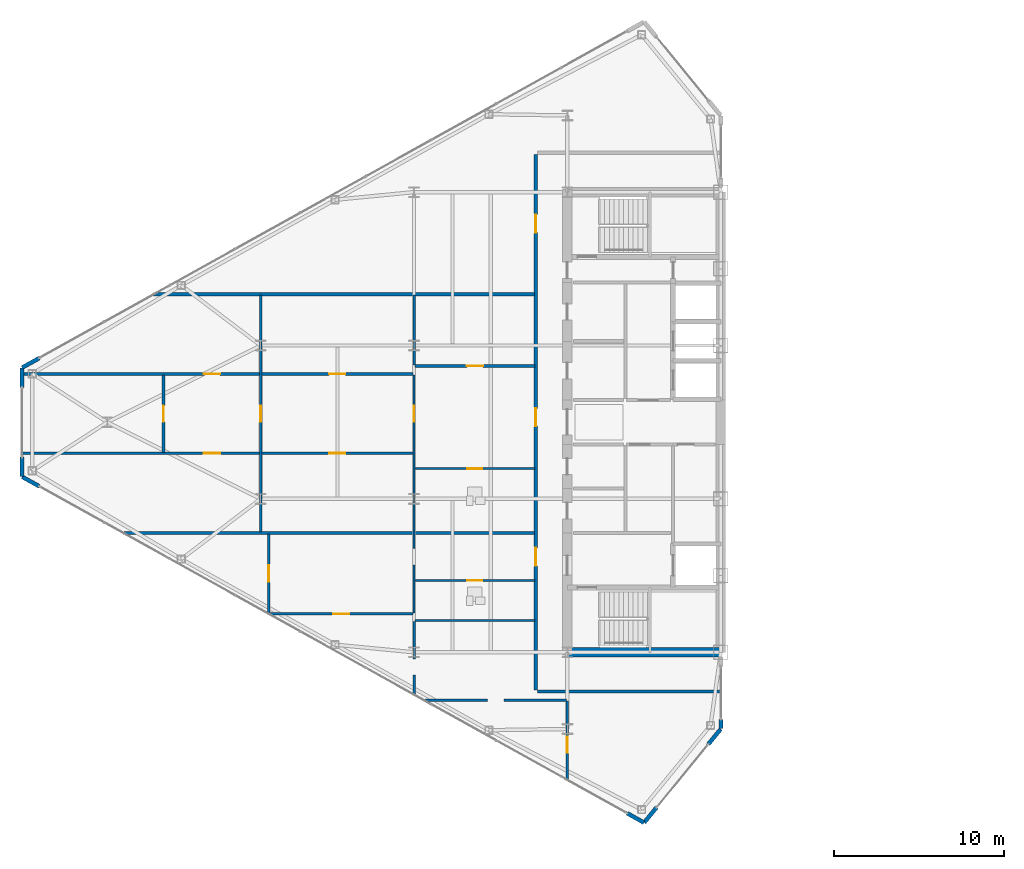
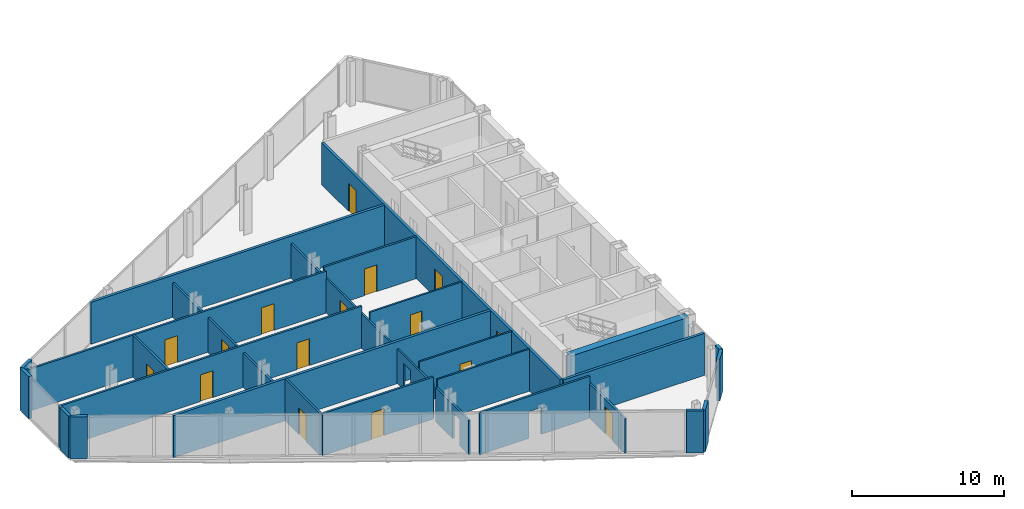
# One storey, part 19 of 26: 28 walls, 16 doors, 19 openings.
"""IFC4 building model written with IfcOpenShell, lengths in metres."""

import ifcopenshell
import ifcopenshell.guid

model = None  # the IFC model being written
_history = None  # IfcOwnerHistory: only IFC2X3 demands one
_inside = {}  # id of a spatial element -> (the spatial element, [elements in it])
_under = {}  # id of a project, library or spatial element -> (it, [spatial elements below it])
_declared = {}  # id of a project -> (the project, [libraries it declares])
_typed = {}  # id of a type object -> (the type object, [elements of that type])
_made_of = {}  # id of a material, layer set ... -> (it, [elements and type objects made of it])


def new_model(schema):
    """Start an empty IFC model of exactly this schema.

    Asked for "IFC4X3", IfcOpenShell would pick the latest addendum, in which some entities
    have other attributes; the version numbers below select the first issue.
    IFC2X3 requires an IfcOwnerHistory on every rooted entity: one is made here for all.
    """
    global model, _history
    if schema == "IFC4X3":
        model = ifcopenshell.file(schema_version=(4, 3, 0, 0))
    else:
        model = ifcopenshell.file(schema=schema)
    _inside.clear()
    _under.clear()
    _declared.clear()
    _typed.clear()
    _made_of.clear()
    _history = None
    if model.schema == "IFC2X3":
        org = make("IfcOrganization", Name="unknown")
        user = make(
            "IfcPersonAndOrganization",
            ThePerson=make("IfcPerson", FamilyName="unknown"),
            TheOrganization=org,
        )
        app = make(
            "IfcApplication",
            ApplicationDeveloper=org,
            Version="unknown",
            ApplicationFullName="unknown",
            ApplicationIdentifier="unknown",
        )
        _history = make(
            "IfcOwnerHistory",
            OwningUser=user,
            OwningApplication=app,
            ChangeAction="ADDED",
            CreationDate=0,
        )
    return model


def make(cls, **values):
    """One entity of the class cls with the attributes given. An attribute that is None is left unset."""
    return model.create_entity(
        cls, **{name: value for name, value in values.items() if value is not None}
    )


def rooted(cls, **values):
    """An entity with a GlobalId (a new one), such as an element, a storey or a relation."""
    return make(cls, GlobalId=ifcopenshell.guid.new(), OwnerHistory=_history, **values)


def si_unit(unit_type, name, prefix=None):
    """IfcSIUnit, for example si_unit("LENGTHUNIT", "METRE", prefix="MILLI")."""
    return make("IfcSIUnit", UnitType=unit_type, Prefix=prefix, Name=name)


def assignment(units):
    """IfcUnitAssignment: the units of a project."""
    return None if units is None else make("IfcUnitAssignment", Units=units)


def point(xyz):
    """IfcCartesianPoint."""
    return None if xyz is None else make("IfcCartesianPoint", Coordinates=xyz)


def direction(xyz):
    """IfcDirection."""
    return None if xyz is None else make("IfcDirection", DirectionRatios=xyz)


def frame(location, z_axis=None, x_axis=None):
    """IfcAxis2Placement3D, a coordinate frame: its origin and axes. An axis left out is left unset."""
    return make(
        "IfcAxis2Placement3D",
        Location=point(location),
        Axis=direction(z_axis),
        RefDirection=direction(x_axis),
    )


def frame_2d(location, x_axis=None):
    """IfcAxis2Placement2D, a coordinate frame in the plane: its origin and x axis."""
    return make(
        "IfcAxis2Placement2D", Location=point(location), RefDirection=direction(x_axis)
    )


def origin():
    """The frame at (0, 0, 0) with its axes left unset."""
    return frame((0.0, 0.0, 0.0))


def place(relative_to, where):
    """IfcLocalPlacement: puts the frame where relative to a parent placement (None: the world)."""
    return make(
        "IfcLocalPlacement", PlacementRelTo=relative_to, RelativePlacement=where
    )


def context(
    kind, dimensions, precision=None, world=None, true_north=None, identifier=None
):
    """IfcGeometricRepresentationContext, for example the 3D "Model" context."""
    return make(
        "IfcGeometricRepresentationContext",
        ContextIdentifier=identifier,
        ContextType=kind,
        CoordinateSpaceDimension=dimensions,
        Precision=precision,
        WorldCoordinateSystem=world,
        TrueNorth=true_north,
    )


def subcontext(parent, identifier, kind, view, scale=None):
    """IfcGeometricRepresentationSubContext, for example "Body" below "Model"."""
    return make(
        "IfcGeometricRepresentationSubContext",
        ContextIdentifier=identifier,
        ContextType=kind,
        ParentContext=parent,
        TargetScale=scale,
        TargetView=view,
    )


def project(units=None, contexts=None):
    """IfcProject with its units and contexts."""
    return rooted(
        "IfcProject",
        Name="project",
        RepresentationContexts=contexts,
        UnitsInContext=assignment(units),
    )


def spatial(cls, under=None, at=None, **own):
    """A site, building, storey or space (cls), placed at a placement, below another one or the project."""
    s = rooted(cls, ObjectPlacement=at, **own)
    if under is not None:
        _under.setdefault(under.id(), (under, []))[1].append(s)
    return s


def profile(cls, at=None, kind="AREA", **sizes):
    """A parametric profile (cls). Its sizes go by their IFC names, for example OverallWidth=200.0."""
    return make(cls, ProfileType=kind, Position=at, **sizes)


def rectangle(**sizes):
    """IfcRectangleProfileDef."""
    return profile("IfcRectangleProfileDef", **sizes)


def extrude(swept, where, along, depth):
    """IfcExtrudedAreaSolid: the profile swept, set in the frame where, extruded along a direction by depth."""
    return make(
        "IfcExtrudedAreaSolid",
        SweptArea=swept,
        Position=where,
        ExtrudedDirection=direction(along),
        Depth=depth,
    )


def shape(context_of_items, identifier, shape_type, items):
    """IfcShapeRepresentation: the items that make up one representation, for example the "Body"."""
    return make(
        "IfcShapeRepresentation",
        ContextOfItems=context_of_items,
        RepresentationIdentifier=identifier,
        RepresentationType=shape_type,
        Items=items,
    )


def source(mapping_origin, context_of_items, identifier, shape_type, items):
    """IfcRepresentationMap: a shape defined once, which mapped items show again and again."""
    return make(
        "IfcRepresentationMap",
        MappingOrigin=mapping_origin,
        MappedRepresentation=shape(context_of_items, identifier, shape_type, items),
    )


def transform(
    local_origin,
    x_axis=None,
    y_axis=None,
    z_axis=None,
    scale=None,
    scale2=None,
    scale3=None,
    uniform=True,
):
    """IfcCartesianTransformationOperator3D, or its non-uniform kind. x_axis, y_axis, z_axis: its Axis1, 2, 3."""
    if uniform:
        return make(
            "IfcCartesianTransformationOperator3D",
            Axis1=direction(x_axis),
            Axis2=direction(y_axis),
            LocalOrigin=point(local_origin),
            Scale=scale,
            Axis3=direction(z_axis),
        )
    return make(
        "IfcCartesianTransformationOperator3DnonUniform",
        Axis1=direction(x_axis),
        Axis2=direction(y_axis),
        LocalOrigin=point(local_origin),
        Scale=scale,
        Axis3=direction(z_axis),
        Scale2=scale2,
        Scale3=scale3,
    )


def mapped(mapping_source, mapping_target):
    """IfcMappedItem: shows the shape of a source again, moved by a transform."""
    return make(
        "IfcMappedItem", MappingSource=mapping_source, MappingTarget=mapping_target
    )


def material(Name=None, Category=None):
    """IfcMaterial."""
    return make("IfcMaterial", Name=Name, Category=Category)


def layer(
    of_material, thickness, ventilated=None, Name=None, Category=None, Priority=None
):
    """IfcMaterialLayer: one layer of a wall or slab, of a material (None: an air gap)."""
    return make(
        "IfcMaterialLayer",
        Material=of_material,
        LayerThickness=thickness,
        IsVentilated=ventilated,
        Name=Name,
        Category=Category,
        Priority=Priority,
    )


def layer_set(layers, Name=None):
    """IfcMaterialLayerSet."""
    return make("IfcMaterialLayerSet", MaterialLayers=layers, LayerSetName=Name)


def made_of(thing, what):
    """Note that an element or type object is made of a material, layer set ...; save() writes the relation."""
    if what is not None:
        _made_of.setdefault(what.id(), (what, []))[1].append(thing)
    return thing


def type_object(cls, material=None, **own):
    """A type object (cls), such as IfcWallType, which elements share."""
    return made_of(rooted(cls, **own), material)


def type_shapes(of_type, sources):
    """Give a type object the sources (RepresentationMaps) that its elements show as mapped items."""
    of_type.RepresentationMaps = sources


def element(
    cls,
    number,
    at=None,
    inside=None,
    cuts=None,
    type_object=None,
    material=None,
    context=None,
    identifier="Body",
    shape_type=None,
    held_by="IfcProductDefinitionShape",
    body=None,
    shapes=None,
    **own,
):
    """One element of the class cls, such as IfcWall. Its Tag is "e" and its number.

    at: its placement. inside: the storey or other place that contains it. cuts: it is an
    opening in that element (IfcRelVoidsElement). A single representation is given by context,
    identifier, shape_type and body (its items); several are given by shapes. held_by: the class
    of the entity that holds the representations. save() writes the other relations.
    """
    e = rooted(cls, Tag="e%d" % number, ObjectPlacement=at, **own)
    if body is not None:
        shapes = [shape(context, identifier, shape_type, body)]
    if shapes is not None:
        e.Representation = make(held_by, Representations=shapes)
    if inside is not None:
        _inside.setdefault(inside.id(), (inside, []))[1].append(e)
    if cuts is not None:
        rooted(
            "IfcRelVoidsElement", RelatingBuildingElement=cuts, RelatedOpeningElement=e
        )
    if type_object is not None:
        _typed.setdefault(type_object.id(), (type_object, []))[1].append(e)
    return made_of(e, material)


def fill(opening, filler):
    """IfcRelFillsElement: the door or window that sits in an opening."""
    return rooted(
        "IfcRelFillsElement",
        RelatingOpeningElement=opening,
        RelatedBuildingElement=filler,
    )


def aggregate(whole, parts):
    """IfcRelAggregates: a whole, such as a stair, and the parts it consists of."""
    return rooted("IfcRelAggregates", RelatingObject=whole, RelatedObjects=parts)


def save(model, path):
    """Write the relations noted so far, then the file.

    IfcRelAggregates (storeys below a building ...), IfcRelContainedInSpatialStructure (elements
    in a storey), IfcRelDefinesByType, IfcRelAssociatesMaterial and IfcRelDeclares: one each for
    every whole, place, type object, material and project.
    """
    for whole, parts in _under.values():
        aggregate(whole, parts)
    for where, things in _inside.values():
        rooted(
            "IfcRelContainedInSpatialStructure",
            RelatedElements=things,
            RelatingStructure=where,
        )
    for kind, things in _typed.values():
        rooted("IfcRelDefinesByType", RelatedObjects=things, RelatingType=kind)
    for what, things in _made_of.values():
        rooted("IfcRelAssociatesMaterial", RelatedObjects=things, RelatingMaterial=what)
    for by, libraries in _declared.values():
        rooted("IfcRelDeclares", RelatingContext=by, RelatedDefinitions=libraries)
    model.write(path)


model = new_model("IFC4")

# Units and contexts
model_context = context("Model", 3, precision=1e-05, world=origin(), true_north=direction((0.0, 1.0)))
body_context = subcontext(model_context, "Body", "Model", "MODEL_VIEW")
ifc_project = project(units=[si_unit("LENGTHUNIT", "METRE"), si_unit("AREAUNIT", "SQUARE_METRE"), si_unit("VOLUMEUNIT", "CUBIC_METRE"), si_unit("PLANEANGLEUNIT", "RADIAN"), si_unit("MASSUNIT", "GRAM", prefix="KILO")], contexts=[model_context])

# Site, building, storey
site_placement = place(None, origin())
site = spatial("IfcSite", under=ifc_project, at=site_placement, CompositionType="ELEMENT")
building_placement = place(site_placement, origin())
building = spatial("IfcBuilding", under=site, at=building_placement, Name="Seokmaru Belvedere", CompositionType="ELEMENT")
storey_placement = place(building_placement, frame((0.0, 0.0, 181.5)))
storey = spatial("IfcBuildingStorey", under=building, at=storey_placement, Name="L48", CompositionType="ELEMENT", Elevation=181.5)

# Wall, opening
ifc_material_1 = material(Name="Fire-Rated Gypsum Shaftwall")
ifc_layer_1 = layer(ifc_material_1, 0.14990234375)
ifc_layer_set_1 = layer_set([ifc_layer_1], Name="Fire-Rated Gypsum Shaftwall")
wall_type_1 = type_object("IfcWallType", Name="Apartment Fire-Acoustic Room Partition 150", PredefinedType="PARTITIONING", material=ifc_layer_set_1)
wall_1_placement = place(storey_placement, frame((-44.943115234375, -16.320068359375, 0.0), z_axis=(0.0, 0.0, 1.0), x_axis=(1.0, 0.0, 0.0)))
wall_1 = element("IfcWall", 1, at=wall_1_placement, inside=storey, type_object=wall_type_1, Name="L48 Interior Partition 001", PredefinedType="PARTITIONING", context=body_context, shape_type="SweptSolid", body=[
    extrude(rectangle(XDim=8.39306640625, YDim=0.14990234375, at=frame_2d((4.196533203125, 0.0))), origin(), (0.0, 0.0, 1.0), 3.3798828125),
])
opening_1_placement = place(wall_1_placement, frame((3.763916015625, 0.0, 0.0)))
element("IfcOpeningElement", 2, at=opening_1_placement, cuts=wall_1, Name="L48 Cased Opening 007", PredefinedType="OPENING", context=body_context, shape_type="SweptSolid", body=[
    extrude(rectangle(XDim=0.949951171875, YDim=2.14990234375, at=frame_2d((0.47509765625, 1.074951171875))), frame((0.0, 0.0849609375, 0.0), z_axis=(0.0, -1.0, 0.0), x_axis=(1.0, 0.0, 0.0)), (0.0, 0.0, 1.0), 0.169921875),
])

# Wall, opening, door
wall_2_placement = place(storey_placement, frame((-53.98291015625, -11.25, 0.0), z_axis=(0.0, 0.0, 1.0), x_axis=(1.0, 0.0, 0.0)))
wall_2 = element("IfcWall", 3, at=wall_2_placement, inside=storey, type_object=wall_type_1, Name="L48 Interior Partition 005", PredefinedType="PARTITIONING", context=body_context, shape_type="SweptSolid", body=[
    extrude(rectangle(XDim=8.432861328125, YDim=0.14990234375, at=frame_2d((4.21630859375, 0.0))), origin(), (0.0, 0.0, 1.0), 3.3798828125),
])
opening_2_placement = place(wall_2_placement, frame((3.741455078125, 0.0, 0.0)))
opening_2 = element("IfcOpeningElement", 4, at=opening_2_placement, cuts=wall_2, Name="Opening D05", PredefinedType="OPENING", context=body_context, shape_type="SweptSolid", body=[
    extrude(rectangle(XDim=0.949951171875, YDim=2.14990234375, at=frame_2d((0.47509765625, 1.074951171875))), frame((0.0, 0.0849609375, 0.0), z_axis=(0.0, -1.0, 0.0), x_axis=(1.0, 0.0, 0.0)), (0.0, 0.0, 1.0), 0.169921875),
])
ifc_material_2 = material(Name="Engineered White Oak Timber", Category="wood")
door_type_1 = type_object("IfcDoorType", Name="Apartment Interior Fire-Rated Oak Door 950x2150", OperationType="NOTDEFINED", PredefinedType="DOOR", material=ifc_material_2)
shared_shape_1 = source(origin(), body_context, "Body", "SweptSolid", [
    extrude(rectangle(XDim=0.949951171875, YDim=2.14990234375, at=frame_2d((0.47509765625, 1.074951171875))), frame((0.0, 0.02490234375, 0.0), z_axis=(0.0, -1.0, 0.0), x_axis=(1.0, 0.0, 0.0)), (0.0, 0.0, 1.0), 0.050048828125),
])
type_shapes(door_type_1, [shared_shape_1])
door_1_placement = place(opening_2_placement, origin())
door_1 = element("IfcDoor", 5, at=door_1_placement, inside=storey, type_object=door_type_1, Name="L48 Interior Door 004", OperationType="SINGLE_SWING_RIGHT", OverallHeight=2.14990234375, OverallWidth=0.949951171875, PredefinedType="DOOR", context=body_context, shape_type="MappedRepresentation", body=[
    mapped(shared_shape_1, transform((0.0, 0.0, 0.0), scale=1.0)),
])
fill(opening_2, door_1)

# Wall, openings, doors
wall_3_placement = place(storey_placement, frame((-68.534912109375, -1.830078125, 0.0), z_axis=(0.0, 0.0, 1.0), x_axis=(1.0, 0.0, 0.0)))
wall_3 = element("IfcWall", 6, at=wall_3_placement, inside=storey, type_object=wall_type_1, Name="L48 Interior Partition 009", PredefinedType="PARTITIONING", context=body_context, shape_type="SweptSolid", body=[
    extrude(rectangle(XDim=22.98486328125, YDim=0.14990234375, at=frame_2d((11.492431640625, 0.0))), origin(), (0.0, 0.0, 1.0), 3.3798828125),
])
opening_3_placement = place(wall_3_placement, frame((18.06005859375, 0.0, 0.0)))
opening_3 = element("IfcOpeningElement", 7, at=opening_3_placement, cuts=wall_3, Name="Opening D05", PredefinedType="OPENING", context=body_context, shape_type="SweptSolid", body=[
    extrude(rectangle(XDim=0.949951171875, YDim=2.14990234375, at=frame_2d((0.47509765625, 1.074951171875))), frame((0.0, 0.0849609375, 0.0), z_axis=(0.0, -1.0, 0.0), x_axis=(1.0, 0.0, 0.0)), (0.0, 0.0, 1.0), 0.169921875),
])
opening_4_placement = place(wall_3_placement, frame((10.7099609375, 0.0, 0.0)))
opening_4 = element("IfcOpeningElement", 8, at=opening_4_placement, cuts=wall_3, Name="Opening D05", PredefinedType="OPENING", context=body_context, shape_type="SweptSolid", body=[
    extrude(rectangle(XDim=0.949951171875, YDim=2.14990234375, at=frame_2d((0.47509765625, 1.074951171875))), frame((0.0, 0.0849609375, 0.0), z_axis=(0.0, -1.0, 0.0), x_axis=(1.0, 0.0, 0.0)), (0.0, 0.0, 1.0), 0.169921875),
])
door_2_placement = place(opening_3_placement, origin())
door_2 = element("IfcDoor", 9, at=door_2_placement, inside=storey, type_object=door_type_1, Name="L48 Interior Door 014", OperationType="SINGLE_SWING_RIGHT", OverallHeight=2.14990234375, OverallWidth=0.949951171875, PredefinedType="DOOR", context=body_context, shape_type="MappedRepresentation", body=[
    mapped(shared_shape_1, transform((0.0, 0.0, 0.0), scale=1.0)),
])
fill(opening_3, door_2)
door_3_placement = place(opening_4_placement, origin())
door_3 = element("IfcDoor", 10, at=door_3_placement, inside=storey, type_object=door_type_1, Name="L48 Interior Door 016", OperationType="SINGLE_SWING_LEFT", OverallHeight=2.14990234375, OverallWidth=0.949951171875, PredefinedType="DOOR", context=body_context, shape_type="MappedRepresentation", body=[
    mapped(shared_shape_1, transform((0.0, 0.0, 0.0), scale=1.0)),
])
fill(opening_4, door_3)

wall_4_placement = place(storey_placement, frame((-68.375, 2.830078125, 0.0), z_axis=(0.0, 0.0, 1.0), x_axis=(1.0, 0.0, 0.0)))
wall_4 = element("IfcWall", 11, at=wall_4_placement, inside=storey, type_object=wall_type_1, Name="L48 Interior Partition 011", PredefinedType="PARTITIONING", context=body_context, shape_type="SweptSolid", body=[
    extrude(rectangle(XDim=22.824951171875, YDim=0.14990234375, at=frame_2d((11.41259765625, 0.0))), origin(), (0.0, 0.0, 1.0), 3.3798828125),
])
opening_5_placement = place(wall_4_placement, frame((17.89990234375, 0.0, 0.0)))
opening_5 = element("IfcOpeningElement", 12, at=opening_5_placement, cuts=wall_4, Name="Opening D05", PredefinedType="OPENING", context=body_context, shape_type="SweptSolid", body=[
    extrude(rectangle(XDim=0.949951171875, YDim=2.14990234375, at=frame_2d((0.47509765625, 1.074951171875))), frame((0.0, 0.0849609375, 0.0), z_axis=(0.0, -1.0, 0.0), x_axis=(1.0, 0.0, 0.0)), (0.0, 0.0, 1.0), 0.169921875),
])
opening_6_placement = place(wall_4_placement, frame((10.550048828125, 0.0, 0.0)))
opening_6 = element("IfcOpeningElement", 13, at=opening_6_placement, cuts=wall_4, Name="Opening D05", PredefinedType="OPENING", context=body_context, shape_type="SweptSolid", body=[
    extrude(rectangle(XDim=0.949951171875, YDim=2.14990234375, at=frame_2d((0.47509765625, 1.074951171875))), frame((0.0, 0.0849609375, 0.0), z_axis=(0.0, -1.0, 0.0), x_axis=(1.0, 0.0, 0.0)), (0.0, 0.0, 1.0), 0.169921875),
])
door_4_placement = place(opening_5_placement, origin())
door_4 = element("IfcDoor", 14, at=door_4_placement, inside=storey, type_object=door_type_1, Name="L48 Interior Door 015", OperationType="SINGLE_SWING_LEFT", OverallHeight=2.14990234375, OverallWidth=0.949951171875, PredefinedType="DOOR", context=body_context, shape_type="MappedRepresentation", body=[
    mapped(shared_shape_1, transform((0.0, 0.0, 0.0), scale=1.0)),
])
fill(opening_5, door_4)
door_5_placement = place(opening_6_placement, origin())
door_5 = element("IfcDoor", 15, at=door_5_placement, inside=storey, type_object=door_type_1, Name="L48 Interior Door 018", OperationType="SINGLE_SWING_RIGHT", OverallHeight=2.14990234375, OverallWidth=0.949951171875, PredefinedType="DOOR", context=body_context, shape_type="MappedRepresentation", body=[
    mapped(shared_shape_1, transform((0.0, 0.0, 0.0), scale=1.0)),
])
fill(opening_6, door_5)

# Wall, opening, door
wall_5_placement = place(storey_placement, frame((-45.449951171875, 3.300048828125, 0.0), z_axis=(0.0, 0.0, 1.0), x_axis=(1.0, 0.0, 0.0)))
wall_5 = element("IfcWall", 16, at=wall_5_placement, inside=storey, type_object=wall_type_1, Name="L48 Interior Partition 012", PredefinedType="PARTITIONING", context=body_context, shape_type="SweptSolid", body=[
    extrude(rectangle(XDim=7.050048828125, YDim=0.14990234375, at=frame_2d((3.52490234375, 0.0))), origin(), (0.0, 0.0, 1.0), 3.3798828125),
])
opening_7_placement = place(wall_5_placement, frame((3.050048828125, 0.0, 0.0)))
opening_7 = element("IfcOpeningElement", 17, at=opening_7_placement, cuts=wall_5, Name="Opening D05", PredefinedType="OPENING", context=body_context, shape_type="SweptSolid", body=[
    extrude(rectangle(XDim=0.949951171875, YDim=2.14990234375, at=frame_2d((0.47509765625, 1.074951171875))), frame((0.0, 0.0849609375, 0.0), z_axis=(0.0, -1.0, 0.0), x_axis=(1.0, 0.0, 0.0)), (0.0, 0.0, 1.0), 0.169921875),
])
door_6_placement = place(opening_7_placement, origin())
door_6 = element("IfcDoor", 18, at=door_6_placement, inside=storey, type_object=door_type_1, Name="L48 Interior Door 011", OperationType="SINGLE_SWING_LEFT", OverallHeight=2.14990234375, OverallWidth=0.949951171875, PredefinedType="DOOR", context=body_context, shape_type="MappedRepresentation", body=[
    mapped(shared_shape_1, transform((0.0, 0.0, 0.0), scale=1.0)),
])
fill(opening_7, door_6)

wall_6_placement = place(storey_placement, frame((-60.199951171875, -1.782958984375, 0.0), z_axis=(0.0, 0.0, 1.0), x_axis=(0.0, 1.0, 0.0)))
wall_6 = element("IfcWall", 19, at=wall_6_placement, inside=storey, type_object=wall_type_1, Name="L48 Interior Partition 016", PredefinedType="PARTITIONING", context=body_context, shape_type="SweptSolid", body=[
    extrude(rectangle(XDim=4.56591796875, YDim=0.14990234375, at=frame_2d((2.282958984375, 0.0))), origin(), (0.0, 0.0, 1.0), 3.3798828125),
])
opening_8_placement = place(wall_6_placement, frame((1.80810546875, 0.0, 0.0)))
opening_8 = element("IfcOpeningElement", 20, at=opening_8_placement, cuts=wall_6, Name="Opening D05", PredefinedType="OPENING", context=body_context, shape_type="SweptSolid", body=[
    extrude(rectangle(XDim=0.949951171875, YDim=2.14990234375, at=frame_2d((0.47509765625, 1.074951171875))), frame((0.0, 0.0849609375, 0.0), z_axis=(0.0, -1.0, 0.0), x_axis=(1.0, 0.0, 0.0)), (0.0, 0.0, 1.0), 0.169921875),
])
door_7_placement = place(opening_8_placement, origin())
door_7 = element("IfcDoor", 21, at=door_7_placement, inside=storey, type_object=door_type_1, Name="L48 Interior Door 017", OperationType="SINGLE_SWING_RIGHT", OverallHeight=2.14990234375, OverallWidth=0.949951171875, PredefinedType="DOOR", context=body_context, shape_type="MappedRepresentation", body=[
    mapped(shared_shape_1, transform((0.0, 0.0, 0.0), scale=1.0)),
])
fill(opening_8, door_7)

wall_7_placement = place(storey_placement, frame((-54.5, -6.449951171875, 0.0), z_axis=(0.0, 0.0, 1.0), x_axis=(0.0, 1.0, 0.0)))
wall_7 = element("IfcWall", 22, at=wall_7_placement, inside=storey, type_object=wall_type_1, Name="L48 Interior Partition 017", PredefinedType="PARTITIONING", context=body_context, shape_type="SweptSolid", body=[
    extrude(rectangle(XDim=13.89990234375, YDim=0.14990234375, at=frame_2d((6.949951171875, 0.0))), origin(), (0.0, 0.0, 1.0), 2.780029296875),
])
opening_9_placement = place(wall_7_placement, frame((6.47509765625, 0.0, 0.0)))
opening_9 = element("IfcOpeningElement", 23, at=opening_9_placement, cuts=wall_7, Name="Opening D05", PredefinedType="OPENING", context=body_context, shape_type="SweptSolid", body=[
    extrude(rectangle(XDim=0.949951171875, YDim=2.14990234375, at=frame_2d((0.47509765625, 1.074951171875))), frame((0.0, 0.0849609375, 0.0), z_axis=(0.0, -1.0, 0.0), x_axis=(1.0, 0.0, 0.0)), (0.0, 0.0, 1.0), 0.169921875),
])
door_8_placement = place(opening_9_placement, origin())
door_8 = element("IfcDoor", 24, at=door_8_placement, inside=storey, type_object=door_type_1, Name="L48 Interior Door 013", OperationType="SINGLE_SWING_RIGHT", OverallHeight=2.14990234375, OverallWidth=0.949951171875, PredefinedType="DOOR", context=body_context, shape_type="MappedRepresentation", body=[
    mapped(shared_shape_1, transform((0.0, 0.0, 0.0), scale=1.0)),
])
fill(opening_9, door_8)

wall_8_placement = place(storey_placement, frame((-54.030029296875, -11.196044921875, 0.0), z_axis=(0.0, 0.0, 1.0), x_axis=(0.0, 1.0, 0.0)))
wall_8 = element("IfcWall", 25, at=wall_8_placement, inside=storey, type_object=wall_type_1, Name="L48 Interior Partition 018", PredefinedType="PARTITIONING", context=body_context, shape_type="SweptSolid", body=[
    extrude(rectangle(XDim=4.64599609375, YDim=0.14990234375, at=frame_2d((2.322998046875, 0.0))), origin(), (0.0, 0.0, 1.0), 3.3798828125),
])
opening_10_placement = place(wall_8_placement, frame((1.84814453125, 0.0, 0.0)))
opening_10 = element("IfcOpeningElement", 26, at=opening_10_placement, cuts=wall_8, Name="Opening D05", PredefinedType="OPENING", context=body_context, shape_type="SweptSolid", body=[
    extrude(rectangle(XDim=0.949951171875, YDim=2.14990234375, at=frame_2d((0.47509765625, 1.074951171875))), frame((0.0, 0.0849609375, 0.0), z_axis=(0.0, -1.0, 0.0), x_axis=(1.0, 0.0, 0.0)), (0.0, 0.0, 1.0), 0.169921875),
])
door_9_placement = place(opening_10_placement, origin())
door_9 = element("IfcDoor", 27, at=door_9_placement, inside=storey, type_object=door_type_1, Name="L48 Interior Door 005", OperationType="SINGLE_SWING_LEFT", OverallHeight=2.14990234375, OverallWidth=0.949951171875, PredefinedType="DOOR", context=body_context, shape_type="MappedRepresentation", body=[
    mapped(shared_shape_1, transform((0.0, 0.0, 0.0), scale=1.0)),
])
fill(opening_10, door_9)

# Wall, opening
wall_9_placement = place(storey_placement, frame((-45.5, -16.027099609375, 0.0), z_axis=(0.0, 0.0, 1.0), x_axis=(0.0, 1.0, 0.0)))
wall_9 = element("IfcWall", 28, at=wall_9_placement, inside=storey, type_object=wall_type_1, Name="L48 Interior Partition 019", PredefinedType="PARTITIONING", context=body_context, shape_type="SweptSolid", body=[
    extrude(rectangle(XDim=4.33203125, YDim=0.14990234375, at=frame_2d((2.166015625, 0.0))), origin(), (0.0, 0.0, 1.0), 2.780029296875),
])
opening_11_placement = place(wall_9_placement, frame((1.1806640625, 0.0, 0.0)))
element("IfcOpeningElement", 29, at=opening_11_placement, cuts=wall_9, Name="L48 Cased Opening 006", PredefinedType="OPENING", context=body_context, shape_type="SweptSolid", body=[
    extrude(rectangle(XDim=0.949951171875, YDim=2.14990234375, at=frame_2d((0.47509765625, 1.074951171875))), frame((0.0, 0.0849609375, 0.0), z_axis=(0.0, -1.0, 0.0), x_axis=(1.0, 0.0, 0.0)), (0.0, 0.0, 1.0), 0.169921875),
])

# Wall
wall_10_placement = place(storey_placement, frame((-45.5, 3.35205078125, 0.0), z_axis=(0.0, 0.0, 1.0), x_axis=(0.0, 1.0, 0.0)))
element("IfcWall", 30, at=wall_10_placement, inside=storey, type_object=wall_type_1, Name="L48 Interior Partition 021", PredefinedType="PARTITIONING", context=body_context, shape_type="SweptSolid", body=[
    extrude(rectangle(XDim=4.097900390625, YDim=0.14990234375, at=frame_2d((2.048828125, 0.0))), origin(), (0.0, 0.0, 1.0), 2.780029296875),
])

# Wall, opening, door
wall_11_placement = place(storey_placement, frame((-36.5, -21.031982421875, 0.0), z_axis=(0.0, 0.0, 1.0), x_axis=(0.0, 1.0, 0.0)))
wall_11 = element("IfcWall", 31, at=wall_11_placement, inside=storey, type_object=wall_type_1, Name="L48 Interior Partition 023", PredefinedType="PARTITIONING", context=body_context, shape_type="SweptSolid", body=[
    extrude(rectangle(XDim=4.660888671875, YDim=0.14990234375, at=frame_2d((2.33056640625, 0.0))), origin(), (0.0, 0.0, 1.0), 2.780029296875),
])
opening_12_placement = place(wall_11_placement, frame((1.63427734375, 0.0, 0.0)))
opening_12 = element("IfcOpeningElement", 32, at=opening_12_placement, cuts=wall_11, Name="Opening D05", PredefinedType="OPENING", context=body_context, shape_type="SweptSolid", body=[
    extrude(rectangle(XDim=0.949951171875, YDim=2.14990234375, at=frame_2d((0.47509765625, 1.074951171875))), frame((0.0, 0.0849609375, 0.0), z_axis=(0.0, -1.0, 0.0), x_axis=(1.0, 0.0, 0.0)), (0.0, 0.0, 1.0), 0.169921875),
])
door_10_placement = place(opening_12_placement, origin())
door_10 = element("IfcDoor", 33, at=door_10_placement, inside=storey, type_object=door_type_1, Name="L48 Interior Door 008", OperationType="SINGLE_SWING_RIGHT", OverallHeight=2.14990234375, OverallWidth=0.949951171875, PredefinedType="DOOR", context=body_context, shape_type="MappedRepresentation", body=[
    mapped(shared_shape_1, transform((0.0, 0.0, 0.0), scale=1.0)),
])
fill(opening_12, door_10)

# Walls
ifc_layer_2 = layer(ifc_material_1, 0.199951171875)
ifc_layer_set_2 = layer_set([ifc_layer_2], Name="Fire-Rated Gypsum Shaftwall")
wall_type_2 = type_object("IfcWallType", Name="Inter-Tenancy Fire Compartment Partition 200", PredefinedType="PARTITIONING", material=ifc_layer_set_2)
wall_12_placement = place(storey_placement, frame((-38.264892578125, -15.800048828125, 0.0), z_axis=(0.0, 0.0, 1.0), x_axis=(1.0, 0.0, 0.0)))
element("IfcWall", 34, at=wall_12_placement, inside=storey, type_object=wall_type_2, Name="L48 Interior Partition 002", PredefinedType="PARTITIONING", context=body_context, shape_type="SweptSolid", body=[
    extrude(rectangle(XDim=10.764892578125, YDim=0.199951171875, at=frame_2d((5.38232421875, 0.0))), origin(), (0.0, 0.0, 1.0), 3.3798828125),
])
wall_13_placement = place(storey_placement, frame((-62.576904296875, -6.5, 0.0), z_axis=(0.0, 0.0, 1.0), x_axis=(1.0, 0.0, 0.0)))
element("IfcWall", 35, at=wall_13_placement, inside=storey, type_object=wall_type_2, Name="L48 Interior Partition 007", PredefinedType="PARTITIONING", context=body_context, shape_type="SweptSolid", body=[
    extrude(rectangle(XDim=24.14697265625, YDim=0.199951171875, at=frame_2d((12.073486328125, 0.0))), origin(), (0.0, 0.0, 1.0), 3.3798828125),
])
wall_14_placement = place(storey_placement, frame((-60.779052734375, 7.5, 0.0), z_axis=(0.0, 0.0, 1.0), x_axis=(1.0, 0.0, 0.0)))
element("IfcWall", 36, at=wall_14_placement, inside=storey, type_object=wall_type_2, Name="L48 Interior Partition 013", PredefinedType="PARTITIONING", context=body_context, shape_type="SweptSolid", body=[
    extrude(rectangle(XDim=22.34912109375, YDim=0.199951171875, at=frame_2d((11.174560546875, 0.0))), origin(), (0.0, 0.0, 1.0), 3.3798828125),
])

# Wall, openings, doors
wall_15_placement = place(storey_placement, frame((-38.35009765625, -15.715087890625, 0.0), z_axis=(0.0, 0.0, 1.0), x_axis=(0.0, 1.0, 0.0)))
wall_15 = element("IfcWall", 37, at=wall_15_placement, inside=storey, type_object=wall_type_2, Name="L48 Interior Partition 022", PredefinedType="PARTITIONING", context=body_context, shape_type="SweptSolid", body=[
    extrude(rectangle(XDim=31.43017578125, YDim=0.199951171875, at=frame_2d((15.715087890625, 0.0))), origin(), (0.0, 0.0, 1.0), 3.3798828125),
])
opening_13_placement = place(wall_15_placement, frame((7.29248046875, 0.0, 0.0)))
opening_13 = element("IfcOpeningElement", 38, at=opening_13_placement, cuts=wall_15, Name="Opening D03", PredefinedType="OPENING", context=body_context, shape_type="SweptSolid", body=[
    extrude(rectangle(XDim=1.050048828125, YDim=2.25, at=frame_2d((0.52490234375, 1.125))), frame((0.0, 0.10986328125, 0.0), z_axis=(0.0, -1.0, 0.0), x_axis=(1.0, 0.0, 0.0)), (0.0, 0.0, 1.0), 0.219970703125),
])
opening_14_placement = place(wall_15_placement, frame((15.47998046875, 0.0, 0.0)))
opening_14 = element("IfcOpeningElement", 39, at=opening_14_placement, cuts=wall_15, Name="Opening D03", PredefinedType="OPENING", context=body_context, shape_type="SweptSolid", body=[
    extrude(rectangle(XDim=1.050048828125, YDim=2.25, at=frame_2d((0.52490234375, 1.125))), frame((0.0, 0.10986328125, 0.0), z_axis=(0.0, -1.0, 0.0), x_axis=(1.0, 0.0, 0.0)), (0.0, 0.0, 1.0), 0.219970703125),
])
opening_15_placement = place(wall_15_placement, frame((26.840087890625, 0.0, 0.0)))
opening_15 = element("IfcOpeningElement", 40, at=opening_15_placement, cuts=wall_15, Name="Opening D03", PredefinedType="OPENING", context=body_context, shape_type="SweptSolid", body=[
    extrude(rectangle(XDim=1.050048828125, YDim=2.25, at=frame_2d((0.52490234375, 1.125))), frame((0.0, 0.10986328125, 0.0), z_axis=(0.0, -1.0, 0.0), x_axis=(1.0, 0.0, 0.0)), (0.0, 0.0, 1.0), 0.219970703125),
])
ifc_material_3 = material(Name="Fire-Rated Steel Leaf", Category="steel")
door_type_2 = type_object("IfcDoorType", Name="Apartment Entrance Fire Door 1050x2250", OperationType="NOTDEFINED", PredefinedType="DOOR", material=ifc_material_3)
shared_shape_2 = source(origin(), body_context, "Body", "SweptSolid", [
    extrude(rectangle(XDim=1.050048828125, YDim=2.25, at=frame_2d((0.52490234375, 1.125))), frame((0.0, 0.02490234375, 0.0), z_axis=(0.0, -1.0, 0.0), x_axis=(1.0, 0.0, 0.0)), (0.0, 0.0, 1.0), 0.050048828125),
])
type_shapes(door_type_2, [shared_shape_2])
door_11_placement = place(opening_13_placement, origin())
door_11 = element("IfcDoor", 41, at=door_11_placement, inside=storey, type_object=door_type_2, Name="L48 Interior Door 001", OperationType="SINGLE_SWING_RIGHT", OverallHeight=2.25, OverallWidth=1.050048828125, PredefinedType="DOOR", context=body_context, shape_type="MappedRepresentation", body=[
    mapped(shared_shape_2, transform((0.0, 0.0, 0.0), scale=1.0)),
])
fill(opening_13, door_11)
door_12_placement = place(opening_14_placement, origin())
door_12 = element("IfcDoor", 42, at=door_12_placement, inside=storey, type_object=door_type_2, Name="L48 Interior Door 009", OperationType="SINGLE_SWING_LEFT", OverallHeight=2.25, OverallWidth=1.050048828125, PredefinedType="DOOR", context=body_context, shape_type="MappedRepresentation", body=[
    mapped(shared_shape_2, transform((0.0, 0.0, 0.0), scale=1.0)),
])
fill(opening_14, door_12)
door_13_placement = place(opening_15_placement, origin())
door_13 = element("IfcDoor", 43, at=door_13_placement, inside=storey, type_object=door_type_2, Name="L48 Interior Door 019", OperationType="SINGLE_SWING_RIGHT", OverallHeight=2.25, OverallWidth=1.050048828125, PredefinedType="DOOR", context=body_context, shape_type="MappedRepresentation", body=[
    mapped(shared_shape_2, transform((0.0, 0.0, 0.0), scale=1.0)),
])
fill(opening_15, door_13)

# Walls
ifc_material_4 = material(Name="Concrete C50 (50 MPa)", Category="concrete")
ifc_layer_3 = layer(ifc_material_4, 0.550048828125)
ifc_layer_set_3 = layer_set([ifc_layer_3], Name="Concrete C50 (50 MPa)")
wall_type_3 = type_object("IfcWallType", Name="Mid-High Reinforced Concrete Core Wall 550", PredefinedType="SHEAR", material=ifc_layer_set_3)
wall_16_placement = place(storey_placement, frame((-36.5, -13.5, 0.0), z_axis=(0.0, 0.0, 1.0), x_axis=(1.0, 0.0, 0.0)))
element("IfcWall", 44, at=wall_16_placement, inside=storey, type_object=wall_type_3, Name="L48 West South Core Wall", PredefinedType="SHEAR", context=body_context, shape_type="SweptSolid", body=[
    extrude(rectangle(XDim=9.0, YDim=0.550048828125, at=frame_2d((4.5, 0.0))), origin(), (0.0, 0.0, 1.0), 3.3798828125),
])
ifc_layer_4 = layer(ifc_material_1, 0.1298828125)
ifc_layer_set_4 = layer_set([ifc_layer_4], Name="Fire-Rated Gypsum Shaftwall")
wall_type_4 = type_object("IfcWallType", Name="Moisture-Resistant Fire-Rated Bathroom Partition 130", PredefinedType="PARTITIONING", material=ifc_layer_set_4)
wall_17_placement = place(storey_placement, frame((-45.449951171875, -11.639892578125, 0.0), z_axis=(0.0, 0.0, 1.0), x_axis=(1.0, 0.0, 0.0)))
element("IfcWall", 45, at=wall_17_placement, inside=storey, type_object=wall_type_4, Name="L48 Interior Partition 004", PredefinedType="PARTITIONING", context=body_context, shape_type="SweptSolid", body=[
    extrude(rectangle(XDim=7.050048828125, YDim=0.1298828125, at=frame_2d((3.52490234375, 0.0))), origin(), (0.0, 0.0, 1.0), 3.3798828125),
])

# Wall, opening, door
wall_18_placement = place(storey_placement, frame((-45.449951171875, -9.2900390625, 0.0), z_axis=(0.0, 0.0, 1.0), x_axis=(1.0, 0.0, 0.0)))
wall_18 = element("IfcWall", 46, at=wall_18_placement, inside=storey, type_object=wall_type_4, Name="L48 Interior Partition 006", PredefinedType="PARTITIONING", context=body_context, shape_type="SweptSolid", body=[
    extrude(rectangle(XDim=7.050048828125, YDim=0.1298828125, at=frame_2d((3.52490234375, 0.0))), origin(), (0.0, 0.0, 1.0), 3.3798828125),
])
opening_16_placement = place(wall_18_placement, frame((3.0849609375, 0.0, 0.0)))
opening_16 = element("IfcOpeningElement", 47, at=opening_16_placement, cuts=wall_18, Name="Opening D06", PredefinedType="OPENING", context=body_context, shape_type="SweptSolid", body=[
    extrude(rectangle(XDim=0.8798828125, YDim=2.10009765625, at=frame_2d((0.43994140625, 1.050048828125))), frame((0.0, 0.074951171875, 0.0), z_axis=(0.0, -1.0, 0.0), x_axis=(1.0, 0.0, 0.0)), (0.0, 0.0, 1.0), 0.14990234375),
])
door_type_3 = type_object("IfcDoorType", Name="Bathroom and Restroom Fire-Rated Door 880x2100", OperationType="NOTDEFINED", PredefinedType="DOOR", material=ifc_material_2)
shared_shape_3 = source(origin(), body_context, "Body", "SweptSolid", [
    extrude(rectangle(XDim=0.8798828125, YDim=2.10009765625, at=frame_2d((0.43994140625, 1.050048828125))), frame((0.0, 0.02490234375, 0.0), z_axis=(0.0, -1.0, 0.0), x_axis=(1.0, 0.0, 0.0)), (0.0, 0.0, 1.0), 0.050048828125),
])
type_shapes(door_type_3, [shared_shape_3])
door_14_placement = place(opening_16_placement, origin())
door_14 = element("IfcDoor", 48, at=door_14_placement, inside=storey, type_object=door_type_3, Name="L48 Interior Door 002", OperationType="SINGLE_SWING_LEFT", OverallHeight=2.10009765625, OverallWidth=0.8798828125, PredefinedType="DOOR", context=body_context, shape_type="MappedRepresentation", body=[
    mapped(shared_shape_3, transform((0.0, 0.0, 0.0), scale=1.0)),
])
fill(opening_16, door_14)

wall_19_placement = place(storey_placement, frame((-45.449951171875, -2.719970703125, 0.0), z_axis=(0.0, 0.0, 1.0), x_axis=(1.0, 0.0, 0.0)))
wall_19 = element("IfcWall", 49, at=wall_19_placement, inside=storey, type_object=wall_type_4, Name="L48 Interior Partition 008", PredefinedType="PARTITIONING", context=body_context, shape_type="SweptSolid", body=[
    extrude(rectangle(XDim=7.050048828125, YDim=0.1298828125, at=frame_2d((3.52490234375, 0.0))), origin(), (0.0, 0.0, 1.0), 3.3798828125),
])
opening_17_placement = place(wall_19_placement, frame((3.0849609375, 0.0, 0.0)))
opening_17 = element("IfcOpeningElement", 50, at=opening_17_placement, cuts=wall_19, Name="Opening D06", PredefinedType="OPENING", context=body_context, shape_type="SweptSolid", body=[
    extrude(rectangle(XDim=0.8798828125, YDim=2.10009765625, at=frame_2d((0.43994140625, 1.050048828125))), frame((0.0, 0.074951171875, 0.0), z_axis=(0.0, -1.0, 0.0), x_axis=(1.0, 0.0, 0.0)), (0.0, 0.0, 1.0), 0.14990234375),
])
door_15_placement = place(opening_17_placement, origin())
door_15 = element("IfcDoor", 51, at=door_15_placement, inside=storey, type_object=door_type_3, Name="L48 Interior Door 010", OperationType="SINGLE_SWING_LEFT", OverallHeight=2.10009765625, OverallWidth=0.8798828125, PredefinedType="DOOR", context=body_context, shape_type="MappedRepresentation", body=[
    mapped(shared_shape_3, transform((0.0, 0.0, 0.0), scale=1.0)),
])
fill(opening_17, door_15)

# Wall, openings, door
wall_20_placement = place(storey_placement, frame((-45.5, -11.196044921875, 0.0), z_axis=(0.0, 0.0, 1.0), x_axis=(0.0, 1.0, 0.0)))
wall_20 = element("IfcWall", 52, at=wall_20_placement, inside=storey, type_object=wall_type_4, Name="L48 Interior Partition 020", PredefinedType="PARTITIONING", context=body_context, shape_type="SweptSolid", body=[
    extrude(rectangle(XDim=13.97900390625, YDim=0.1298828125, at=frame_2d((6.989501953125, 0.0))), origin(), (0.0, 0.0, 1.0), 2.780029296875),
])
opening_18_placement = place(wall_20_placement, frame((2.823486328125, 0.0, 0.0)))
element("IfcOpeningElement", 53, at=opening_18_placement, cuts=wall_20, Name="L48 Cased Opening 003", PredefinedType="OPENING", context=body_context, shape_type="SweptSolid", body=[
    extrude(rectangle(XDim=0.949951171875, YDim=2.14990234375, at=frame_2d((0.47509765625, 1.074951171875))), frame((0.0, 0.074951171875, 0.0), z_axis=(0.0, -1.0, 0.0), x_axis=(1.0, 0.0, 0.0)), (0.0, 0.0, 1.0), 0.14990234375),
])
opening_19_placement = place(wall_20_placement, frame((11.220947265625, 0.0, 0.0)))
opening_19 = element("IfcOpeningElement", 54, at=opening_19_placement, cuts=wall_20, Name="Opening D05", PredefinedType="OPENING", context=body_context, shape_type="SweptSolid", body=[
    extrude(rectangle(XDim=0.949951171875, YDim=2.14990234375, at=frame_2d((0.47509765625, 1.074951171875))), frame((0.0, 0.074951171875, 0.0), z_axis=(0.0, -1.0, 0.0), x_axis=(1.0, 0.0, 0.0)), (0.0, 0.0, 1.0), 0.14990234375),
])
door_16_placement = place(opening_19_placement, origin())
door_16 = element("IfcDoor", 55, at=door_16_placement, inside=storey, type_object=door_type_1, Name="L48 Interior Door 012", OperationType="SINGLE_SWING_RIGHT", OverallHeight=2.14990234375, OverallWidth=0.949951171875, PredefinedType="DOOR", context=body_context, shape_type="MappedRepresentation", body=[
    mapped(shared_shape_1, transform((0.0, 0.0, 0.0), scale=1.0)),
])
fill(opening_19, door_16)

# Walls
ifc_material_5 = material(Name="Anodised Bronze Aluminium", Category="aluminium")
ifc_layer_5 = layer(ifc_material_5, 0.239990234375)
ifc_layer_set_5 = layer_set([ifc_layer_5], Name="Anodised Bronze Aluminium")
wall_type_5 = type_object("IfcWallType", Name="Tower Corner Spandrel Closure Wall 240", PredefinedType="SOLIDWALL", material=ifc_layer_set_5)
wall_21_placement = place(storey_placement, frame((-27.5, -17.97998046875, 0.0), z_axis=(0.0, 0.0, 1.0), x_axis=(0.0, 1.0, 0.0)))
element("IfcWall", 56, at=wall_21_placement, inside=storey, type_object=wall_type_5, Name="L48 W Spine Closure Pier 1A", PredefinedType="SOLIDWALL", context=body_context, shape_type="SweptSolid", body=[
    extrude(rectangle(XDim=0.550048828125, YDim=0.239990234375, at=frame_2d((0.27490234375, 0.0))), origin(), (0.0, 0.0, 1.0), 3.3798828125),
])
for number, where, z_axis, x_axis, name in (
    (57, (-67.4951171875, 3.759033203125, 0.0), (0.0, 0.0, 1.0), (-0.87385402111, -0.486188389196, 0.0), "L48 W Corner Closure Pier 3B"),
    (58, (-68.5, 3.18994140625, 0.0), (0.0, 0.0, 1.0), (0.0, -1.0, 0.0), "L48 W Corner Closure Pier 4A"),
    (59, (-68.5, -2.050048828125, 0.0), (0.0, 0.0, 1.0), (0.0, -1.0, 0.0), "L48 W Corner Closure Pier 4B"),
    (60, (-68.4912109375, -3.204833984375, 0.0), (0.0, 0.0, 1.0), (0.87385402111, -0.486188389196, 0.0), "L48 W Corner Closure Pier 5A"),
    (61, (-33.0048828125, -22.94091796875, 0.0), (0.0, 0.0, 1.0), (0.87385402111, -0.486188389196, 0.0), "L48 W Corner Closure Pier 5B"),
):
    element("IfcWall", number, at=place(storey_placement, frame(where, z_axis=z_axis, x_axis=x_axis)), inside=storey, type_object=wall_type_5, Name=name, PredefinedType="SOLIDWALL", context=body_context, shape_type="SweptSolid", body=[
        extrude(rectangle(XDim=1.139892578125, YDim=0.239990234375, at=frame_2d((0.56982421875, 0.0))), origin(), (0.0, 0.0, 1.0), 3.3798828125),
    ])
for number, where, z_axis, x_axis, name in (
    (62, (-31.99365234375, -23.4921875, 0.0), (0.0, 0.0, 1.0), (0.633249451965, 0.77394775766, 0.0), "L48 W Corner Closure Pier 6A"),
    (63, (-28.228271484375, -18.89013671875, 0.0), (0.0, 0.0, 1.0), (0.633249451965, 0.77394775766, 0.0), "L48 W Corner Closure Pier 6B"),
):
    element("IfcWall", number, at=place(storey_placement, frame(where, z_axis=z_axis, x_axis=x_axis)), inside=storey, type_object=wall_type_5, Name=name, PredefinedType="SOLIDWALL", context=body_context, shape_type="SweptSolid", body=[
        extrude(rectangle(XDim=1.14013671875, YDim=0.239990234375, at=frame_2d((0.570068359375, 0.0))), origin(), (0.0, 0.0, 1.0), 3.3798828125),
    ])

save(model, "model.ifc")
